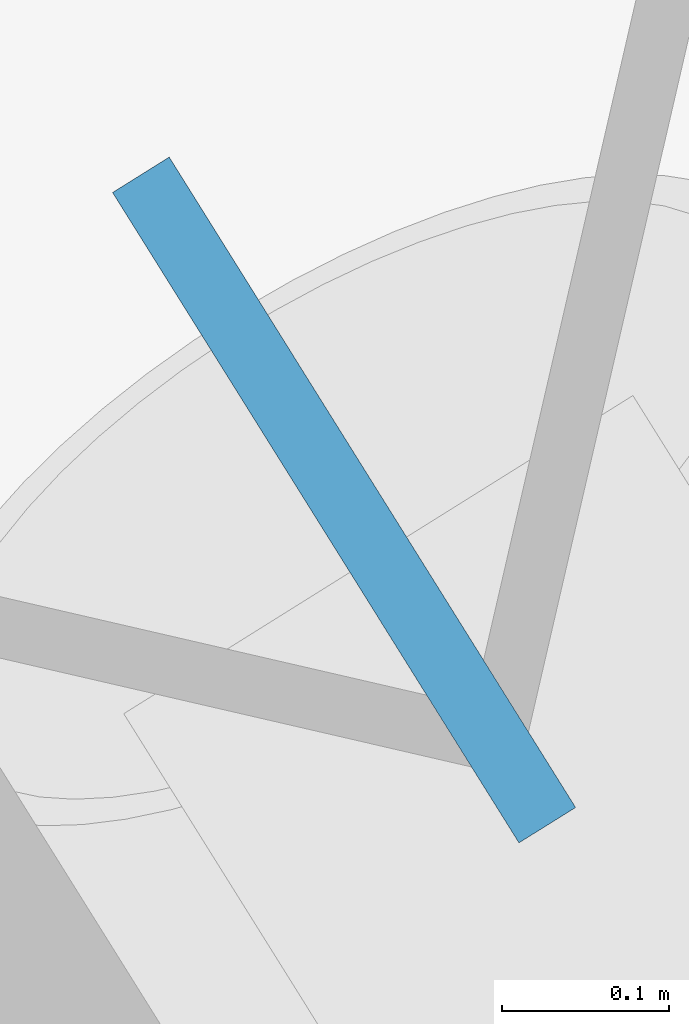
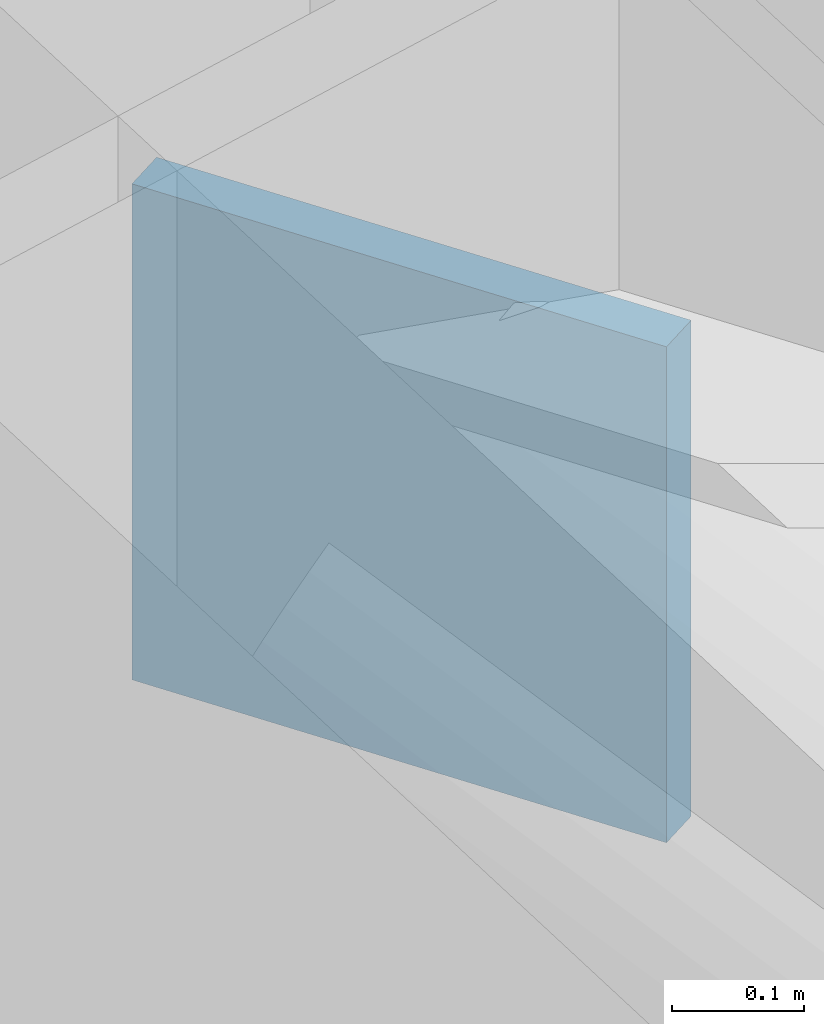
# One storey, part 19 of 21: 1 discrete accessory.
"""IFC4 building model written with IfcOpenShell, lengths in metres."""

from ifc_helpers import new_model, si_unit, direction, frame, origin, origin_2d, place, context, subcontext, project, spatial, rectangle, extrude, material, type_object, element, save


model = new_model("IFC4")

# Units and contexts
model_context = context("Model", 3, precision=1e-05, world=origin(), true_north=direction((0.0, 1.0)))
body_context = subcontext(model_context, "Body", "Model", "MODEL_VIEW")
ifc_project = project(units=[si_unit("LENGTHUNIT", "METRE"), si_unit("AREAUNIT", "SQUARE_METRE"), si_unit("VOLUMEUNIT", "CUBIC_METRE"), si_unit("PLANEANGLEUNIT", "RADIAN"), si_unit("MASSUNIT", "GRAM", prefix="KILO")], contexts=[model_context])

# Site, building, storey
site_placement = place(None, origin())
site = spatial("IfcSite", under=ifc_project, at=site_placement, CompositionType="ELEMENT")
building_placement = place(site_placement, origin())
building = spatial("IfcBuilding", under=site, at=building_placement, Name="Tavrogorsk Clinical Tower", CompositionType="ELEMENT")
storey_placement = place(building_placement, frame((0.0, 0.0, 8.39990234375)))
storey = spatial("IfcBuildingStorey", under=building, at=storey_placement, Name="L01", CompositionType="ELEMENT", Elevation=8.39990234375)

# Discrete accessory
ifc_material = material(Name="Structural steel S440", Category="steel")
discrete_accessory_type = type_object("IfcDiscreteAccessoryType", Name="GussetPlateBracket_25", PredefinedType="BRACKET", material=ifc_material)
discrete_accessory_placement = place(storey_placement, frame((36.64697265625, 14.49267578125, 3.346923828125), z_axis=(0.0, 0.0, 1.0), x_axis=(-0.529919264233, 0.848048096156, 0.0)))
element("IfcDiscreteAccessory", 1, at=discrete_accessory_placement, inside=storey, type_object=discrete_accessory_type, Name="L01 Brace Gusset Plate EXOCRN-L01-2-B", PredefinedType="BRACKET", context=body_context, shape_type="SweptSolid", body=[
    extrude(rectangle(XDim=0.4599609375, YDim=0.0400390625, at=origin_2d()), origin(), (0.0, 0.0, 1.0), 0.4599609375),
])

save(model, "model.ifc")
